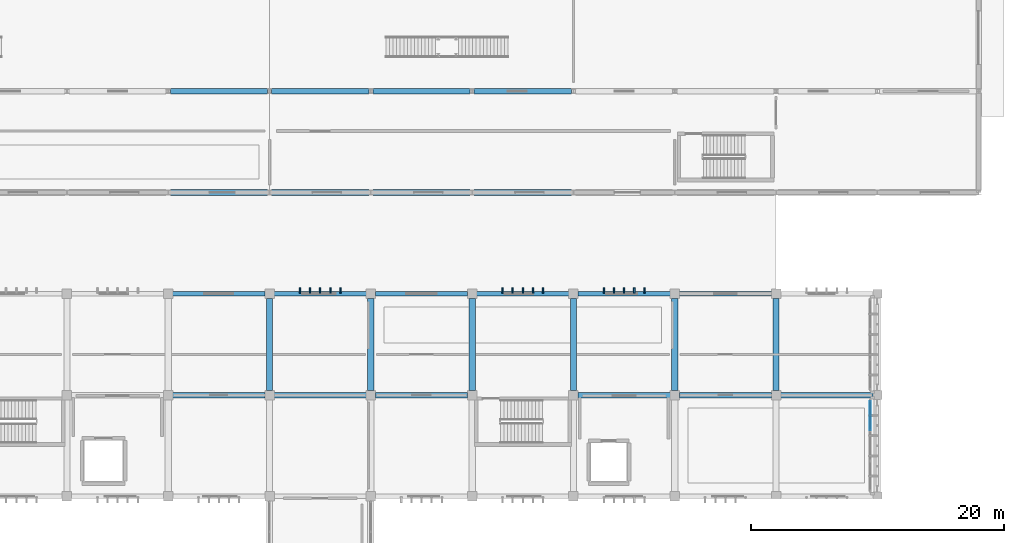
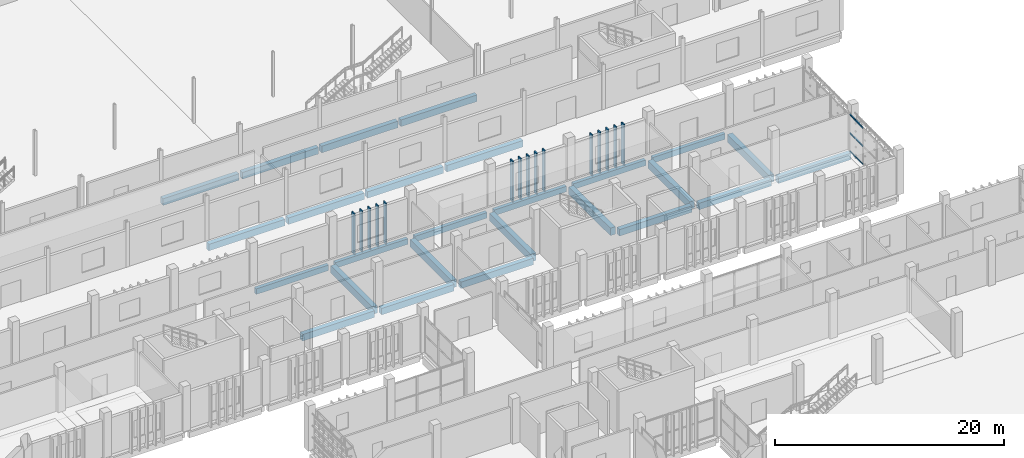
# One storey, part 72 of 117: 26 beams, 18 members, 1 element without a shape of its own.
"""IFC4 building model written with IfcOpenShell, lengths in metres."""

from ifc_helpers import new_model, si_unit, direction, frame, origin, origin_2d, place, context, subcontext, project, spatial, rectangle, extrude, material, layer, layer_set, material_profile, profile_set, type_object, element, aggregate, save


model = new_model("IFC4")

# Units and contexts
model_context = context("Model", 3, precision=1e-05, world=origin(), true_north=direction((0.0, 1.0)))
body_context = subcontext(model_context, "Body", "Model", "MODEL_VIEW")
ifc_project = project(units=[si_unit("LENGTHUNIT", "METRE"), si_unit("AREAUNIT", "SQUARE_METRE"), si_unit("VOLUMEUNIT", "CUBIC_METRE"), si_unit("PLANEANGLEUNIT", "RADIAN"), si_unit("MASSUNIT", "GRAM", prefix="KILO")], contexts=[model_context])

# Site, building, storey
site_placement = place(None, origin())
site = spatial("IfcSite", under=ifc_project, at=site_placement, CompositionType="ELEMENT")
building_placement = place(site_placement, origin())
building = spatial("IfcBuilding", under=site, at=building_placement, Name="Jelvoka-Kovrelna Polytechnic", CompositionType="ELEMENT")
storey_placement = place(building_placement, origin())
storey = spatial("IfcBuildingStorey", under=building, at=storey_placement, Name="L01", CompositionType="ELEMENT", Elevation=0.0)

# Beams
ifc_material_1 = material(Name="Concrete C40/50", Category="concrete")
ifc_material_profile_1 = material_profile(ifc_material_1, rectangle(XDim=0.449951171875, YDim=0.699951171875, at=origin_2d()), Name="RC 450x700")
ifc_profile_set_1 = profile_set([ifc_material_profile_1], Name="Concrete C40/50")
beam_type_1 = type_object("IfcBeamType", Name="Beam_RC_450x700", PredefinedType="BEAM", material=ifc_profile_set_1)
for number, where, z_axis, x_axis, name in (
    (1, (136.164306640625, 80.0, -0.760009765625), (1.0, 0.0, 0.0), (0.0, 1.0, 0.0), "L01 beam 0031"),
    (2, (136.164306640625, 88.0, -0.760009765625), (1.0, 0.0, 0.0), (0.0, 1.0, 0.0), "L01 beam 0032"),
    (3, (144.164306640625, 80.0, -0.760009765625), (1.0, 0.0, 0.0), (0.0, 1.0, 0.0), "L01 beam 0036"),
    (4, (144.164306640625, 88.0, -0.760009765625), (1.0, 0.0, 0.0), (0.0, 1.0, 0.0), "L01 beam 0037"),
    (5, (152.164306640625, 80.0, -0.760009765625), (1.0, 0.0, 0.0), (0.0, 1.0, 0.0), "L01 beam 0041"),
    (6, (152.164306640625, 88.0, -0.760009765625), (1.0, 0.0, 0.0), (0.0, 1.0, 0.0), "L01 beam 0042"),
    (7, (160.164306640625, 80.0, -0.760009765625), (1.0, 0.0, 0.0), (0.0, 1.0, 0.0), "L01 beam 0046"),
    (8, (160.164306640625, 88.0, -0.760009765625), (1.0, 0.0, 0.0), (0.0, 1.0, 0.0), "L01 beam 0047"),
):
    element("IfcBeam", number, at=place(storey_placement, frame(where, z_axis=z_axis, x_axis=x_axis)), inside=storey, type_object=beam_type_1, Name=name, PredefinedType="BEAM", context=body_context, shape_type="SweptSolid", body=[
        extrude(rectangle(XDim=0.449951171875, YDim=0.699951171875, at=origin_2d()), origin(), (0.0, 0.0, 1.0), 7.67138671875),
    ])
for number, where, z_axis, x_axis, name in (
    (9, (136.35498046875, 64.0, -0.7548828125), (1.0, 0.0, 0.0), (0.0, 1.0, 0.0), "L01 beam 0487"),
    (10, (144.35498046875, 64.0, -0.7548828125), (1.0, 0.0, 0.0), (0.0, 1.0, 0.0), "L01 beam 0488"),
    (11, (152.35498046875, 64.0, -0.7548828125), (1.0, 0.0, 0.0), (0.0, 1.0, 0.0), "L01 beam 0489"),
    (12, (168.35498046875, 64.0, -0.7548828125), (1.0, 0.0, 0.0), (0.0, 1.0, 0.0), "L01 beam 0490"),
    (13, (176.35498046875, 64.0, -0.7548828125), (1.0, 0.0, 0.0), (0.0, 1.0, 0.0), "L01 beam 0491"),
):
    element("IfcBeam", number, at=place(storey_placement, frame(where, z_axis=z_axis, x_axis=x_axis)), inside=storey, type_object=beam_type_1, Name=name, PredefinedType="BEAM", context=body_context, shape_type="SweptSolid", body=[
        extrude(rectangle(XDim=0.449951171875, YDim=0.699951171875, at=origin_2d()), origin(), (0.0, 0.0, 1.0), 7.2900390625),
    ])
beam_placement = place(storey_placement, frame((184.35498046875, 64.0, -0.7548828125), z_axis=(1.0, 0.0, 0.0), x_axis=(0.0, 1.0, 0.0)))
element("IfcBeam", 14, at=beam_placement, inside=storey, type_object=beam_type_1, Name="L01 beam 0492", PredefinedType="BEAM", context=body_context, shape_type="SweptSolid", body=[
    extrude(rectangle(XDim=0.449951171875, YDim=0.699951171875, at=origin_2d()), origin(), (0.0, 0.0, 1.0), 7.31494140625),
])
ifc_material_2 = material(Name="Concrete C40/50", Category="concrete")
ifc_material_profile_2 = material_profile(ifc_material_2, rectangle(XDim=0.5, YDim=0.800048828125, at=origin_2d()), Name="RC 500x800")
ifc_profile_set_2 = profile_set([ifc_material_profile_2], Name="Concrete C40/50")
beam_type_2 = type_object("IfcBeamType", Name="Beam_RC_500x800", PredefinedType="BEAM", material=ifc_profile_set_2)
for number, where, z_axis, x_axis, name in (
    (15, (144.0, 64.35498046875, -0.804931640625), (0.0, 1.0, 0.0), (-1.0, 0.0, 0.0), "L01 beam 0510"),
    (16, (152.0, 64.35498046875, -0.804931640625), (0.0, 1.0, 0.0), (-1.0, 0.0, 0.0), "L01 beam 0512"),
    (17, (160.0, 64.35498046875, -0.804931640625), (0.0, 1.0, 0.0), (-1.0, 0.0, 0.0), "L01 beam 0514"),
    (18, (168.0, 64.35498046875, -0.804931640625), (0.0, 1.0, 0.0), (-1.0, 0.0, 0.0), "L01 beam 0516"),
    (19, (176.0, 64.35498046875, -0.804931640625), (0.0, 1.0, 0.0), (-1.0, 0.0, 0.0), "L01 beam 0518"),
    (20, (184.0, 64.35498046875, -0.804931640625), (0.0, 1.0, 0.0), (-1.0, 0.0, 0.0), "L01 beam 0520"),
):
    element("IfcBeam", number, at=place(storey_placement, frame(where, z_axis=z_axis, x_axis=x_axis)), inside=storey, type_object=beam_type_2, Name=name, PredefinedType="BEAM", context=body_context, shape_type="SweptSolid", body=[
        extrude(rectangle(XDim=0.5, YDim=0.800048828125, at=origin_2d()), origin(), (0.0, 0.0, 1.0), 7.2900390625),
    ])

# Members
ifc_material_3 = material(Name="Precast concrete C40/50", Category="concrete")
ifc_material_profile_3 = material_profile(ifc_material_3, rectangle(XDim=0.1201171875, YDim=0.449951171875, at=origin_2d()), Name="PC 120x450")
ifc_profile_set_3 = profile_set([ifc_material_profile_3], Name="Precast concrete C40/50")
member_type_1 = type_object("IfcMemberType", Name="Louvre_Fin_120x450", PredefinedType="USERDEFINED", material=ifc_profile_set_3)
for number, where, z_axis, x_axis, name in (
    (21, (146.39990234375, 72.264892578125, -0.419921875), (0.0, 0.0, 1.0), (1.0, 0.0, 0.0), "L01 B3 north vertical solar louvre fin 1276"),
    (22, (147.199951171875, 72.264892578125, -0.419921875), (0.0, 0.0, 1.0), (1.0, 0.0, 0.0), "L01 B3 north vertical solar louvre fin 1277"),
    (23, (148.0, 72.264892578125, -0.419921875), (0.0, 0.0, 1.0), (1.0, 0.0, 0.0), "L01 B3 north vertical solar louvre fin 1278"),
    (24, (148.800048828125, 72.264892578125, -0.419921875), (0.0, 0.0, 1.0), (1.0, 0.0, 0.0), "L01 B3 north vertical solar louvre fin 1279"),
    (25, (149.60009765625, 72.264892578125, -0.419921875), (0.0, 0.0, 1.0), (1.0, 0.0, 0.0), "L01 B3 north vertical solar louvre fin 1280"),
    (26, (162.39990234375, 72.264892578125, -0.419921875), (0.0, 0.0, 1.0), (1.0, 0.0, 0.0), "L01 B3 north vertical solar louvre fin 1291"),
    (27, (163.199951171875, 72.264892578125, -0.419921875), (0.0, 0.0, 1.0), (1.0, 0.0, 0.0), "L01 B3 north vertical solar louvre fin 1292"),
    (28, (164.0, 72.264892578125, -0.419921875), (0.0, 0.0, 1.0), (1.0, 0.0, 0.0), "L01 B3 north vertical solar louvre fin 1293"),
    (29, (164.800048828125, 72.264892578125, -0.419921875), (0.0, 0.0, 1.0), (1.0, 0.0, 0.0), "L01 B3 north vertical solar louvre fin 1294"),
    (30, (165.60009765625, 72.264892578125, -0.419921875), (0.0, 0.0, 1.0), (1.0, 0.0, 0.0), "L01 B3 north vertical solar louvre fin 1295"),
    (31, (170.39990234375, 72.264892578125, -0.419921875), (0.0, 0.0, 1.0), (1.0, 0.0, 0.0), "L01 B3 north vertical solar louvre fin 1301"),
    (32, (171.199951171875, 72.264892578125, -0.419921875), (0.0, 0.0, 1.0), (1.0, 0.0, 0.0), "L01 B3 north vertical solar louvre fin 1302"),
    (33, (172.0, 72.264892578125, -0.419921875), (0.0, 0.0, 1.0), (1.0, 0.0, 0.0), "L01 B3 north vertical solar louvre fin 1303"),
    (34, (172.800048828125, 72.264892578125, -0.419921875), (0.0, 0.0, 1.0), (1.0, 0.0, 0.0), "L01 B3 north vertical solar louvre fin 1304"),
    (35, (173.60009765625, 72.264892578125, -0.419921875), (0.0, 0.0, 1.0), (1.0, 0.0, 0.0), "L01 B3 north vertical solar louvre fin 1305"),
):
    element("IfcMember", number, at=place(storey_placement, frame(where, z_axis=z_axis, x_axis=x_axis)), inside=storey, type_object=member_type_1, Name=name, ObjectType="SUNSHADE", PredefinedType="USERDEFINED", context=body_context, shape_type="SweptSolid", body=[
        extrude(rectangle(XDim=0.1201171875, YDim=0.449951171875, at=origin_2d()), origin(), (0.0, 0.0, 1.0), 4.3798828125),
    ])

# Beams
ifc_material_4 = material(Name="Concrete C40/50", Category="concrete")
ifc_material_profile_4 = material_profile(ifc_material_4, rectangle(XDim=0.35009765625, YDim=0.60009765625, at=origin_2d()), Name="RC 350x600")
ifc_profile_set_4 = profile_set([ifc_material_profile_4], Name="Concrete C40/50")
beam_type_3 = type_object("IfcBeamType", Name="Spandrel_RC_350x600", PredefinedType="SPANDREL", material=ifc_profile_set_4)
for number, where, z_axis, x_axis, name in (
    (36, (136.35498046875, 72.0, -0.705078125), (1.0, 0.0, 0.0), (0.0, 1.0, 0.0), "L01 beam 0496"),
    (37, (144.35498046875, 72.0, -0.705078125), (1.0, 0.0, 0.0), (0.0, 1.0, 0.0), "L01 beam 0497"),
    (38, (152.35498046875, 72.0, -0.705078125), (1.0, 0.0, 0.0), (0.0, 1.0, 0.0), "L01 beam 0498"),
    (39, (160.35498046875, 72.0, -0.705078125), (1.0, 0.0, 0.0), (0.0, 1.0, 0.0), "L01 beam 0499"),
    (40, (168.35498046875, 72.0, -0.705078125), (1.0, 0.0, 0.0), (0.0, 1.0, 0.0), "L01 beam 0500"),
    (41, (176.35498046875, 72.0, -0.705078125), (1.0, 0.0, 0.0), (0.0, 1.0, 0.0), "L01 beam 0501"),
):
    element("IfcBeam", number, at=place(storey_placement, frame(where, z_axis=z_axis, x_axis=x_axis)), inside=storey, type_object=beam_type_3, Name=name, PredefinedType="SPANDREL", context=body_context, shape_type="SweptSolid", body=[
        extrude(rectangle(XDim=0.35009765625, YDim=0.60009765625, at=origin_2d()), origin(), (0.0, 0.0, 1.0), 7.2900390625),
    ])

# Curtain wall, members
ifc_material_5 = material(Name="Anodised aluminium 6063-T6", Category="aluminium")
ifc_layer = layer(ifc_material_5, 0.179931640625)
ifc_layer_set = layer_set([ifc_layer], Name="Anodised aluminium 6063-T6")
curtain_wall_type = type_object("IfcCurtainWallType", Name="CW_Recessed_B", PredefinedType="NOTDEFINED", material=ifc_layer_set)
curtain_wall_placement = place(storey_placement, origin())
curtain_wall = element("IfcCurtainWall", 42, at=curtain_wall_placement, inside=storey, type_object=curtain_wall_type, Name="L01 glazed curtain wall 081", PredefinedType="NOTDEFINED")
ifc_material_6 = material(Name="Anodised aluminium 6063-T6", Category="aluminium")
ifc_material_profile_5 = material_profile(ifc_material_6, rectangle(XDim=0.06494140625, YDim=0.135009765625, at=origin_2d()), Name="ALU 65x135")
ifc_profile_set_5 = profile_set([ifc_material_profile_5], Name="Anodised aluminium 6063-T6")
member_type_2 = type_object("IfcMemberType", Name="Transom_T-02", PredefinedType="USERDEFINED", material=ifc_profile_set_5)
member_1_placement = place(storey_placement, frame((191.43994140625, 63.534912109375, 0.032470703125), z_axis=(0.0, -1.0, 0.0), x_axis=(1.0, 0.0, 0.0)))
member_1 = element("IfcMember", 43, at=member_1_placement, type_object=member_type_2, Name="CW-02 transom 1.1", ObjectType="TRANSOM", PredefinedType="USERDEFINED", context=body_context, shape_type="SweptSolid", body=[
    extrude(rectangle(XDim=0.06494140625, YDim=0.135009765625, at=origin_2d()), origin(), (0.0, 0.0, 1.0), 2.302490234375),
])
member_2_placement = place(storey_placement, frame((191.43994140625, 63.534912109375, 1.97509765625), z_axis=(0.0, -1.0, 0.0), x_axis=(1.0, 0.0, 0.0)))
member_2 = element("IfcMember", 44, at=member_2_placement, type_object=member_type_2, Name="CW-02 transom 1.2", ObjectType="TRANSOM", PredefinedType="USERDEFINED", context=body_context, shape_type="SweptSolid", body=[
    extrude(rectangle(XDim=0.06494140625, YDim=0.135009765625, at=origin_2d()), origin(), (0.0, 0.0, 1.0), 2.302490234375),
])
member_3_placement = place(storey_placement, frame((191.43994140625, 63.534912109375, 3.91748046875), z_axis=(0.0, -1.0, 0.0), x_axis=(1.0, 0.0, 0.0)))
member_3 = element("IfcMember", 45, at=member_3_placement, type_object=member_type_2, Name="CW-02 transom 1.3", ObjectType="TRANSOM", PredefinedType="USERDEFINED", context=body_context, shape_type="SweptSolid", body=[
    extrude(rectangle(XDim=0.06494140625, YDim=0.135009765625, at=origin_2d()), origin(), (0.0, 0.0, 1.0), 2.302490234375),
])
aggregate(curtain_wall, [member_1, member_2, member_3])

save(model, "model.ifc")
